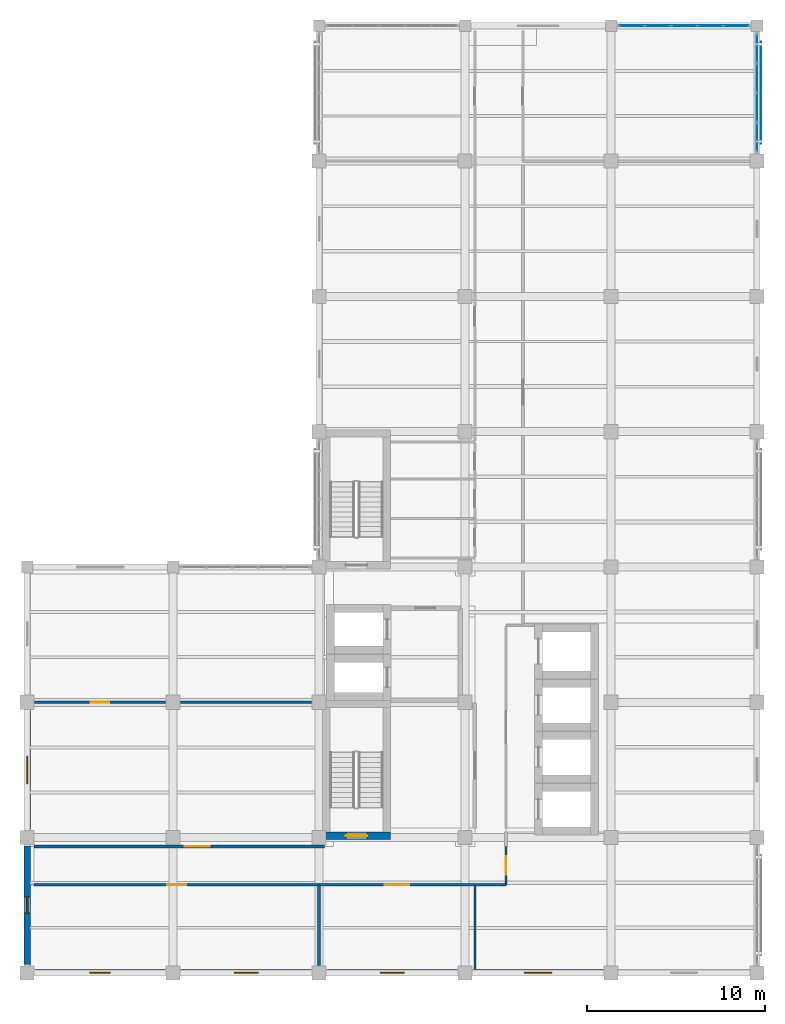
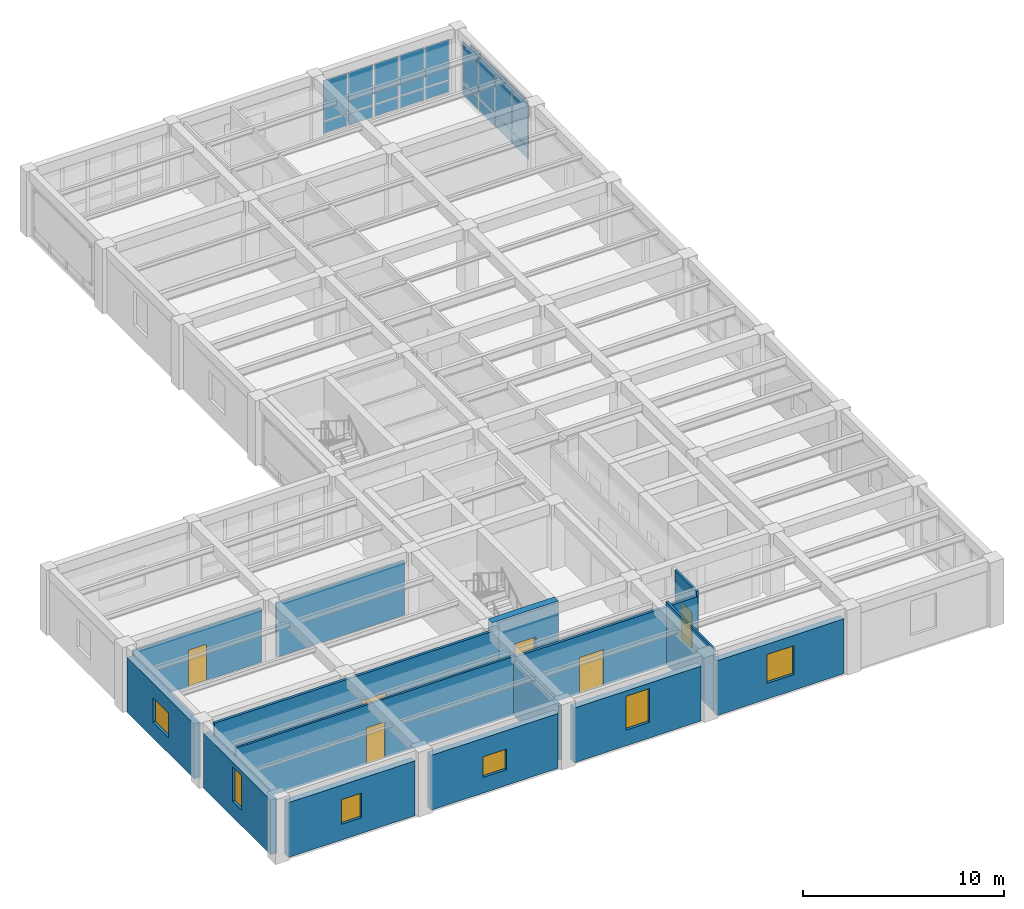
# One storey, part 7 of 14: 19 plates, 16 walls, 6 doors, 6 windows, 12 openings, 2 elements without a shape of their own.
"""IFC4 building model written with IfcOpenShell, lengths in metres."""

from ifc_helpers import new_model, si_unit, direction, frame, frame_2d, origin, origin_2d, place, context, subcontext, project, spatial, rectangle, extrude, material, layer, layer_set, type_object, element, fill, aggregate, save


model = new_model("IFC4")

# Units and contexts
model_context = context("Model", 3, precision=1e-05, world=origin(), true_north=direction((0.0, 1.0)))
body_context = subcontext(model_context, "Body", "Model", "MODEL_VIEW")
ifc_project = project(units=[si_unit("LENGTHUNIT", "METRE"), si_unit("AREAUNIT", "SQUARE_METRE"), si_unit("VOLUMEUNIT", "CUBIC_METRE"), si_unit("PLANEANGLEUNIT", "RADIAN"), si_unit("MASSUNIT", "GRAM", prefix="KILO")], contexts=[model_context])

# Site, building, storey
site_placement = place(None, origin())
site = spatial("IfcSite", under=ifc_project, at=site_placement, CompositionType="ELEMENT")
building_placement = place(site_placement, origin())
building = spatial("IfcBuilding", under=site, at=building_placement, Name="Qandaris Square Conservatory and Botanical Centre", CompositionType="ELEMENT")
storey_placement = place(building_placement, frame((0.0, 0.0, 40.800048828125)))
storey = spatial("IfcBuildingStorey", under=building, at=storey_placement, Name="L09", CompositionType="ELEMENT", Elevation=40.800048828125)

# Curtain wall, plates
ifc_material_1 = material(Name="Anodised Aluminium", Category="aluminium")
curtain_wall_type_1 = type_object("IfcCurtainWallType", Name="Unitised Curtain Wall CW-4-667x334", PredefinedType="USERDEFINED", material=ifc_material_1)
curtain_wall_1_placement = place(storey_placement, origin())
curtain_wall_1 = element("IfcCurtainWall", 1, at=curtain_wall_1_placement, inside=storey, type_object=curtain_wall_type_1, Name="Curtain Wall CW-TWR-L09-2-7", ObjectType="GLAZED CURTAIN WALL", PredefinedType="USERDEFINED")
ifc_material_2 = material(Name="Tempered Low-E Glass", Category="glass")
ifc_layer_1 = layer(ifc_material_2, 0.035888671875)
ifc_layer_set_1 = layer_set([ifc_layer_1], Name="Tempered Low-E Glass")
plate_type_1 = type_object("IfcPlateType", Name="Double-Glazed Solar Control Vision Unit 36mm", PredefinedType="CURTAIN_PANEL", material=ifc_layer_set_1)
plate_1_placement = place(storey_placement, frame((163.800048828125, 63.550537109375, 0.06494140625), z_axis=(0.0, 0.0, 1.0), x_axis=(0.0, 1.0, 0.0)))
plate_1 = element("IfcPlate", 2, at=plate_1_placement, type_object=plate_type_1, Name="CW-4-667x334 panel 1.1", PredefinedType="CURTAIN_PANEL", context=body_context, shape_type="SweptSolid", body=[
    extrude(rectangle(XDim=1.5712890625, YDim=0.035888671875, at=origin_2d()), origin(), (0.0, 0.0, 1.0), 0.7041015625),
])
plate_2_placement = place(storey_placement, frame((163.800048828125, 63.550537109375, 0.833984375), z_axis=(0.0, 0.0, 1.0), x_axis=(0.0, 1.0, 0.0)))
plate_2 = element("IfcPlate", 3, at=plate_2_placement, type_object=plate_type_1, Name="CW-4-667x334 panel 1.2", PredefinedType="CURTAIN_PANEL", context=body_context, shape_type="SweptSolid", body=[
    extrude(rectangle(XDim=1.5712890625, YDim=0.035888671875, at=origin_2d()), origin(), (0.0, 0.0, 1.0), 2.44091796875),
])
plate_3_placement = place(storey_placement, frame((163.800048828125, 65.203125, 0.06494140625), z_axis=(0.0, 0.0, 1.0), x_axis=(0.0, 1.0, 0.0)))
plate_3 = element("IfcPlate", 4, at=plate_3_placement, type_object=plate_type_1, Name="CW-4-667x334 panel 2.1", PredefinedType="CURTAIN_PANEL", context=body_context, shape_type="SweptSolid", body=[
    extrude(rectangle(XDim=1.603759765625, YDim=0.035888671875, at=origin_2d()), origin(), (0.0, 0.0, 1.0), 0.7041015625),
])
plate_4_placement = place(storey_placement, frame((163.800048828125, 65.203125, 0.833984375), z_axis=(0.0, 0.0, 1.0), x_axis=(0.0, 1.0, 0.0)))
plate_4 = element("IfcPlate", 5, at=plate_4_placement, type_object=plate_type_1, Name="CW-4-667x334 panel 2.2", PredefinedType="CURTAIN_PANEL", context=body_context, shape_type="SweptSolid", body=[
    extrude(rectangle(XDim=1.603759765625, YDim=0.035888671875, at=origin_2d()), origin(), (0.0, 0.0, 1.0), 2.44091796875),
])
plate_5_placement = place(storey_placement, frame((163.800048828125, 66.871826171875, 0.06494140625), z_axis=(0.0, 0.0, 1.0), x_axis=(0.0, 1.0, 0.0)))
plate_5 = element("IfcPlate", 6, at=plate_5_placement, type_object=plate_type_1, Name="CW-4-667x334 panel 3.1", PredefinedType="CURTAIN_PANEL", context=body_context, shape_type="SweptSolid", body=[
    extrude(rectangle(XDim=1.603759765625, YDim=0.035888671875, at=origin_2d()), origin(), (0.0, 0.0, 1.0), 0.7041015625),
])
plate_6_placement = place(storey_placement, frame((163.800048828125, 66.871826171875, 0.833984375), z_axis=(0.0, 0.0, 1.0), x_axis=(0.0, 1.0, 0.0)))
plate_6 = element("IfcPlate", 7, at=plate_6_placement, type_object=plate_type_1, Name="CW-4-667x334 panel 3.2", PredefinedType="CURTAIN_PANEL", context=body_context, shape_type="SweptSolid", body=[
    extrude(rectangle(XDim=1.603759765625, YDim=0.035888671875, at=origin_2d()), origin(), (0.0, 0.0, 1.0), 2.44091796875),
])
plate_7_placement = place(storey_placement, frame((163.800048828125, 68.5244140625, 0.06494140625), z_axis=(0.0, 0.0, 1.0), x_axis=(0.0, 1.0, 0.0)))
plate_7 = element("IfcPlate", 8, at=plate_7_placement, type_object=plate_type_1, Name="CW-4-667x334 panel 4.1", PredefinedType="CURTAIN_PANEL", context=body_context, shape_type="SweptSolid", body=[
    extrude(rectangle(XDim=1.5712890625, YDim=0.035888671875, at=origin_2d()), origin(), (0.0, 0.0, 1.0), 0.7041015625),
])
plate_8_placement = place(storey_placement, frame((163.800048828125, 68.5244140625, 0.833984375), z_axis=(0.0, 0.0, 1.0), x_axis=(0.0, 1.0, 0.0)))
plate_8 = element("IfcPlate", 9, at=plate_8_placement, type_object=plate_type_1, Name="CW-4-667x334 panel 4.2", PredefinedType="CURTAIN_PANEL", context=body_context, shape_type="SweptSolid", body=[
    extrude(rectangle(XDim=1.5712890625, YDim=0.035888671875, at=origin_2d()), origin(), (0.0, 0.0, 1.0), 2.44091796875),
])
aggregate(curtain_wall_1, [plate_1, plate_2, plate_3, plate_4, plate_5, plate_6, plate_7, plate_8])

curtain_wall_type_2 = type_object("IfcCurtainWallType", Name="Unitised Curtain Wall CW-3-735x334", PredefinedType="USERDEFINED", material=ifc_material_1)
curtain_wall_2_placement = place(storey_placement, origin())
curtain_wall_2 = element("IfcCurtainWall", 10, at=curtain_wall_2_placement, inside=storey, type_object=curtain_wall_type_2, Name="Curtain Wall CW-TWR-L09-3-1", ObjectType="GLAZED CURTAIN WALL", PredefinedType="USERDEFINED")
plate_9_placement = place(storey_placement, frame((162.623779296875, 69.800048828125, 0.06494140625), z_axis=(0.0, 0.0, 1.0), x_axis=(-1.0, 0.0, 0.0)))
plate_9 = element("IfcPlate", 11, at=plate_9_placement, type_object=plate_type_1, Name="CW-3-735x334 panel 1.1", PredefinedType="CURTAIN_PANEL", context=body_context, shape_type="SweptSolid", body=[
    extrude(rectangle(XDim=1.37255859375, YDim=0.035888671875, at=origin_2d()), origin(), (0.0, 0.0, 1.0), 0.7041015625),
])
plate_10_placement = place(storey_placement, frame((162.623779296875, 69.800048828125, 0.833984375), z_axis=(0.0, 0.0, 1.0), x_axis=(-1.0, 0.0, 0.0)))
plate_10 = element("IfcPlate", 12, at=plate_10_placement, type_object=plate_type_1, Name="CW-3-735x334 panel 1.2", PredefinedType="CURTAIN_PANEL", context=body_context, shape_type="SweptSolid", body=[
    extrude(rectangle(XDim=1.37255859375, YDim=0.035888671875, at=origin_2d()), origin(), (0.0, 0.0, 1.0), 2.44091796875),
])
plate_11_placement = place(storey_placement, frame((161.169921875, 69.800048828125, 0.06494140625), z_axis=(0.0, 0.0, 1.0), x_axis=(-1.0, 0.0, 0.0)))
plate_11 = element("IfcPlate", 13, at=plate_11_placement, type_object=plate_type_1, Name="CW-3-735x334 panel 2.1", PredefinedType="CURTAIN_PANEL", context=body_context, shape_type="SweptSolid", body=[
    extrude(rectangle(XDim=1.405029296875, YDim=0.035888671875, at=origin_2d()), origin(), (0.0, 0.0, 1.0), 0.7041015625),
])
plate_12_placement = place(storey_placement, frame((161.169921875, 69.800048828125, 0.833984375), z_axis=(0.0, 0.0, 1.0), x_axis=(-1.0, 0.0, 0.0)))
plate_12 = element("IfcPlate", 14, at=plate_12_placement, type_object=plate_type_1, Name="CW-3-735x334 panel 2.2", PredefinedType="CURTAIN_PANEL", context=body_context, shape_type="SweptSolid", body=[
    extrude(rectangle(XDim=1.405029296875, YDim=0.035888671875, at=origin_2d()), origin(), (0.0, 0.0, 1.0), 2.44091796875),
])
plate_13_placement = place(storey_placement, frame((159.699951171875, 69.800048828125, 0.06494140625), z_axis=(0.0, 0.0, 1.0), x_axis=(-1.0, 0.0, 0.0)))
plate_13 = element("IfcPlate", 15, at=plate_13_placement, type_object=plate_type_1, Name="CW-3-735x334 panel 3.1", PredefinedType="CURTAIN_PANEL", context=body_context, shape_type="SweptSolid", body=[
    extrude(rectangle(XDim=1.405029296875, YDim=0.035888671875, at=origin_2d()), origin(), (0.0, 0.0, 1.0), 0.7041015625),
])
plate_14_placement = place(storey_placement, frame((159.699951171875, 69.800048828125, 0.833984375), z_axis=(0.0, 0.0, 1.0), x_axis=(-1.0, 0.0, 0.0)))
plate_14 = element("IfcPlate", 16, at=plate_14_placement, type_object=plate_type_1, Name="CW-3-735x334 panel 3.2", PredefinedType="CURTAIN_PANEL", context=body_context, shape_type="SweptSolid", body=[
    extrude(rectangle(XDim=1.405029296875, YDim=0.035888671875, at=origin_2d()), origin(), (0.0, 0.0, 1.0), 2.44091796875),
])
plate_15_placement = place(storey_placement, frame((158.22998046875, 69.800048828125, 0.06494140625), z_axis=(0.0, 0.0, 1.0), x_axis=(-1.0, 0.0, 0.0)))
plate_15 = element("IfcPlate", 17, at=plate_15_placement, type_object=plate_type_1, Name="CW-3-735x334 panel 4.1", PredefinedType="CURTAIN_PANEL", context=body_context, shape_type="SweptSolid", body=[
    extrude(rectangle(XDim=1.405029296875, YDim=0.035888671875, at=origin_2d()), origin(), (0.0, 0.0, 1.0), 0.7041015625),
])
plate_16_placement = place(storey_placement, frame((158.22998046875, 69.800048828125, 0.833984375), z_axis=(0.0, 0.0, 1.0), x_axis=(-1.0, 0.0, 0.0)))
plate_16 = element("IfcPlate", 18, at=plate_16_placement, type_object=plate_type_1, Name="CW-3-735x334 panel 4.2", PredefinedType="CURTAIN_PANEL", context=body_context, shape_type="SweptSolid", body=[
    extrude(rectangle(XDim=1.405029296875, YDim=0.035888671875, at=origin_2d()), origin(), (0.0, 0.0, 1.0), 2.44091796875),
])
plate_17_placement = place(storey_placement, frame((156.7763671875, 69.800048828125, 0.06494140625), z_axis=(0.0, 0.0, 1.0), x_axis=(-1.0, 0.0, 0.0)))
plate_17 = element("IfcPlate", 19, at=plate_17_placement, type_object=plate_type_1, Name="CW-3-735x334 panel 5.1", PredefinedType="CURTAIN_PANEL", context=body_context, shape_type="SweptSolid", body=[
    extrude(rectangle(XDim=1.37255859375, YDim=0.035888671875, at=origin_2d()), origin(), (0.0, 0.0, 1.0), 0.7041015625),
])
plate_18_placement = place(storey_placement, frame((156.7763671875, 69.800048828125, 0.833984375), z_axis=(0.0, 0.0, 1.0), x_axis=(-1.0, 0.0, 0.0)))
plate_18 = element("IfcPlate", 20, at=plate_18_placement, type_object=plate_type_1, Name="CW-3-735x334 panel 5.2", PredefinedType="CURTAIN_PANEL", context=body_context, shape_type="SweptSolid", body=[
    extrude(rectangle(XDim=1.37255859375, YDim=0.035888671875, at=origin_2d()), origin(), (0.0, 0.0, 1.0), 2.44091796875),
])
aggregate(curtain_wall_2, [plate_9, plate_10, plate_11, plate_12, plate_13, plate_14, plate_15, plate_16, plate_17, plate_18])

# Plate
ifc_material_3 = material(Name="Weathering Bronze Alloy", Category="metal")
ifc_layer_2 = layer(ifc_material_3, 0.044921875)
ifc_layer_set_2 = layer_set([ifc_layer_2], Name="Weathering Bronze Alloy")
plate_type_2 = type_object("IfcPlateType", Name="Perforated Bronze Mashrabiya Solar Screen Panel", PredefinedType="USERDEFINED", material=ifc_layer_set_2)
plate_19_placement = place(storey_placement, frame((164.02001953125, 66.03759765625, 0.83154296875), z_axis=(0.0, 0.0, 1.0), x_axis=(0.0, 1.0, 0.0)))
element("IfcPlate", 21, at=plate_19_placement, inside=storey, type_object=plate_type_2, Name="Mashrabiya Solar Screen CW-TWR-L09-2-7", ObjectType="SOLAR SCREEN", PredefinedType="USERDEFINED", context=body_context, shape_type="SweptSolid", body=[
    extrude(rectangle(XDim=5.715087890625, YDim=0.044921875, at=origin_2d()), origin(), (0.0, 0.0, 1.0), 2.41845703125),
])

# Wall, opening, door
ifc_material_4 = material(Name="Gypsum Plasterboard", Category="gypsum")
ifc_layer_3 = layer(ifc_material_4, 0.14990234375)
ifc_layer_set_3 = layer_set([ifc_layer_3], Name="Gypsum Plasterboard")
wall_type_1 = type_object("IfcWallType", Name="Acoustic Laboratory Partition 150mm", PredefinedType="PARTITIONING", material=ifc_layer_set_3)
wall_1_placement = place(storey_placement, frame((147.949951171875, 21.550048828125, 0.0), z_axis=(0.0, 0.0, 1.0), x_axis=(-1.0, 0.0, 0.0)))
wall_1 = element("IfcWall", 22, at=wall_1_placement, inside=storey, type_object=wall_type_1, Name="Interior Partition IW-L09-0326", PredefinedType="PARTITIONING", context=body_context, shape_type="SweptSolid", body=[
    extrude(rectangle(XDim=8.75, YDim=0.14990234375, at=frame_2d((4.375, 0.0))), origin(), (0.0, 0.0, 1.0), 3.514892578125),
])
opening_1_placement = place(wall_1_placement, frame((3.675048828125, 0.0, 0.0)))
opening_1 = element("IfcOpeningElement", 23, at=opening_1_placement, cuts=wall_1, Name="Opening D-LAB1", PredefinedType="OPENING", context=body_context, shape_type="SweptSolid", body=[
    extrude(rectangle(XDim=1.39990234375, YDim=2.199951171875, at=frame_2d((0.699951171875, 1.10009765625))), frame((0.0, 0.0869140625, 0.0), z_axis=(0.0, -1.0, 0.0), x_axis=(1.0, 0.0, 0.0)), (0.0, 0.0, 1.0), 0.173828125),
])
ifc_material_5 = material(Name="Engineered Oak Timber", Category="wood")
door_type_1 = type_object("IfcDoorType", Name="Research Laboratory Leaf-and-Half Door 1400x2200", OperationType="DOUBLE_DOOR_SINGLE_SWING", PredefinedType="DOOR", material=ifc_material_5)
door_1_placement = place(opening_1_placement, frame((1.39990234375, 0.0, 0.0), z_axis=(0.0, 0.0, 1.0), x_axis=(-1.0, 0.0, 0.0)))
door_1 = element("IfcDoor", 24, at=door_1_placement, inside=storey, type_object=door_type_1, Name="DR-0294 Thermal Adaptation Suite Door", OperationType="DOUBLE_DOOR_SINGLE_SWING", OverallHeight=2.199951171875, OverallWidth=1.39990234375, PredefinedType="DOOR", context=body_context, shape_type="SweptSolid", body=[
    extrude(rectangle(XDim=1.39990234375, YDim=2.199951171875, at=frame_2d((0.699951171875, 1.10009765625))), frame((0.0, 0.02490234375, 0.0), z_axis=(0.0, -1.0, 0.0), x_axis=(1.0, 0.0, 0.0)), (0.0, 0.0, 1.0), 0.050048828125),
])
fill(opening_1, door_1)

# Wall
wall_2_placement = place(storey_placement, frame((149.699951171875, 21.550048828125, 0.0), z_axis=(0.0, 0.0, 1.0), x_axis=(-1.0, 0.0, 0.0)))
element("IfcWall", 25, at=wall_2_placement, inside=storey, type_object=wall_type_1, Name="Interior Partition IW-L09-0329", PredefinedType="PARTITIONING", context=body_context, shape_type="SweptSolid", body=[
    extrude(rectangle(XDim=1.75, YDim=0.14990234375, at=frame_2d((0.875, 0.0))), origin(), (0.0, 0.0, 1.0), 3.514892578125),
])

# Wall, opening, door
wall_3_placement = place(storey_placement, frame((123.199951171875, 23.699951171875, 0.0), z_axis=(0.0, 0.0, 1.0), x_axis=(1.0, 0.0, 0.0)))
wall_3 = element("IfcWall", 26, at=wall_3_placement, inside=storey, type_object=wall_type_1, Name="Interior Partition IW-L09-0334", PredefinedType="PARTITIONING", context=body_context, shape_type="SweptSolid", body=[
    extrude(rectangle(XDim=16.300048828125, YDim=0.14990234375, at=frame_2d((8.14990234375, 0.0))), origin(), (0.0, 0.0, 1.0), 3.804931640625),
])
opening_2_placement = place(wall_3_placement, frame((8.452880859375, 0.0, 0.0)))
opening_2 = element("IfcOpeningElement", 27, at=opening_2_placement, cuts=wall_3, Name="Opening D-LAB1", PredefinedType="OPENING", context=body_context, shape_type="SweptSolid", body=[
    extrude(rectangle(XDim=1.39990234375, YDim=2.199951171875, at=frame_2d((0.699951171875, 1.10009765625))), frame((0.0, 0.0869140625, 0.0), z_axis=(0.0, -1.0, 0.0), x_axis=(1.0, 0.0, 0.0)), (0.0, 0.0, 1.0), 0.173828125),
])
door_2_placement = place(opening_2_placement, frame((1.39990234375, 0.0, 0.0), z_axis=(0.0, 0.0, 1.0), x_axis=(-1.0, 0.0, 0.0)))
door_2 = element("IfcDoor", 28, at=door_2_placement, inside=storey, type_object=door_type_1, Name="DR-0296 Phenomics Imaging Research Laboratory South Door", OperationType="DOUBLE_DOOR_SINGLE_SWING", OverallHeight=2.199951171875, OverallWidth=1.39990234375, PredefinedType="DOOR", context=body_context, shape_type="SweptSolid", body=[
    extrude(rectangle(XDim=1.39990234375, YDim=2.199951171875, at=frame_2d((0.699951171875, 1.10009765625))), frame((0.0, 0.02490234375, 0.0), z_axis=(0.0, -1.0, 0.0), x_axis=(1.0, 0.0, 0.0)), (0.0, 0.0, 1.0), 0.050048828125),
])
fill(opening_2, door_2)

# Walls
wall_4_placement = place(storey_placement, frame((139.199951171875, 21.550048828125, 0.0), z_axis=(0.0, 0.0, 1.0), x_axis=(0.0, -1.0, 0.0)))
element("IfcWall", 29, at=wall_4_placement, inside=storey, type_object=wall_type_1, Name="Interior Partition IW-L09-0335", PredefinedType="PARTITIONING", context=body_context, shape_type="SweptSolid", body=[
    extrude(rectangle(XDim=4.530029296875, YDim=0.14990234375, at=frame_2d((2.26513671875, 0.0))), origin(), (0.0, 0.0, 1.0), 3.27490234375),
])
wall_5_placement = place(storey_placement, frame((131.419921875, 31.800048828125, 0.0), z_axis=(0.0, 0.0, 1.0), x_axis=(1.0, 0.0, 0.0)))
element("IfcWall", 30, at=wall_5_placement, inside=storey, type_object=wall_type_1, Name="Interior Partition IW-L09-0341", PredefinedType="PARTITIONING", context=body_context, shape_type="SweptSolid", body=[
    extrude(rectangle(XDim=7.360107421875, YDim=0.14990234375, at=frame_2d((3.68017578125, 0.0))), origin(), (0.0, 0.0, 1.0), 3.27490234375),
])

# Wall, opening, window
ifc_material_6 = material(Name="Precast concrete C40/50", Category="concrete")
ifc_layer_4 = layer(ifc_material_6, 0.360107421875)
ifc_layer_set_4 = layer_set([ifc_layer_4], Name="Precast concrete C40/50")
wall_type_2 = type_object("IfcWallType", Name="Architectural Precast Cladding Wall 360mm", PredefinedType="SOLIDWALL", material=ifc_layer_set_4)
wall_6_placement = place(storey_placement, frame((123.260009765625, 16.60009765625, 0.0), z_axis=(0.0, 0.0, 1.0), x_axis=(1.0, 0.0, 0.0)))
wall_6 = element("IfcWall", 31, at=wall_6_placement, inside=storey, type_object=wall_type_2, Name="Exterior Wall EW-TWR-L09-1-1", PredefinedType="SOLIDWALL", context=body_context, shape_type="SweptSolid", body=[
    extrude(rectangle(XDim=7.280029296875, YDim=0.360107421875, at=frame_2d((3.64013671875, 0.0))), origin(), (0.0, 0.0, 1.0), 3.324951171875),
])
opening_3_placement = place(wall_6_placement, frame((3.06494140625, 0.0, 0.949951171875)))
opening_3 = element("IfcOpeningElement", 32, at=opening_3_placement, cuts=wall_6, Name="Opening WN-18", PredefinedType="OPENING", context=body_context, shape_type="SweptSolid", body=[
    extrude(rectangle(XDim=1.14990234375, YDim=1.5, at=frame_2d((0.574951171875, 0.75))), frame((0.0, 0.19189453125, 0.0), z_axis=(0.0, -1.0, 0.0), x_axis=(1.0, 0.0, 0.0)), (0.0, 0.0, 1.0), 0.384033203125),
])
window_type_1 = type_object("IfcWindowType", Name="Solar Control Window 1150x1500", PartitioningType="SINGLE_PANEL", PredefinedType="WINDOW", material=ifc_material_2)
window_1_placement = place(opening_3_placement, origin())
window_1 = element("IfcWindow", 33, at=window_1_placement, inside=storey, type_object=window_type_1, Name="Window EW-TWR-L09-1-1", OverallHeight=1.5, OverallWidth=1.14990234375, PartitioningType="SINGLE_PANEL", PredefinedType="WINDOW", context=body_context, shape_type="SweptSolid", body=[
    extrude(rectangle(XDim=1.14990234375, YDim=1.5, at=frame_2d((0.574951171875, 0.75))), frame((0.0, 0.030029296875, 0.0), z_axis=(0.0, -1.0, 0.0), x_axis=(1.0, 0.0, 0.0)), (0.0, 0.0, 1.0), 0.06005859375),
])
fill(opening_3, window_1)

wall_7_placement = place(storey_placement, frame((131.4599609375, 16.60009765625, 0.0), z_axis=(0.0, 0.0, 1.0), x_axis=(1.0, 0.0, 0.0)))
wall_7 = element("IfcWall", 34, at=wall_7_placement, inside=storey, type_object=wall_type_2, Name="Exterior Wall EW-TWR-L09-1-2", PredefinedType="SOLIDWALL", context=body_context, shape_type="SweptSolid", body=[
    extrude(rectangle(XDim=7.280029296875, YDim=0.360107421875, at=frame_2d((3.64013671875, 0.0))), origin(), (0.0, 0.0, 1.0), 3.324951171875),
])
opening_4_placement = place(wall_7_placement, frame((2.965087890625, 0.0, 0.949951171875)))
opening_4 = element("IfcOpeningElement", 35, at=opening_4_placement, cuts=wall_7, Name="Opening WN-21", PredefinedType="OPENING", context=body_context, shape_type="SweptSolid", body=[
    extrude(rectangle(XDim=1.35009765625, YDim=1.25, at=frame_2d((0.675048828125, 0.625))), frame((0.0, 0.19189453125, 0.0), z_axis=(0.0, -1.0, 0.0), x_axis=(1.0, 0.0, 0.0)), (0.0, 0.0, 1.0), 0.384033203125),
])
window_type_2 = type_object("IfcWindowType", Name="Solar Control Window 1350x1250", PartitioningType="SINGLE_PANEL", PredefinedType="WINDOW", material=ifc_material_2)
window_2_placement = place(opening_4_placement, origin())
window_2 = element("IfcWindow", 36, at=window_2_placement, inside=storey, type_object=window_type_2, Name="Window EW-TWR-L09-1-2", OverallHeight=1.25, OverallWidth=1.35009765625, PartitioningType="SINGLE_PANEL", PredefinedType="WINDOW", context=body_context, shape_type="SweptSolid", body=[
    extrude(rectangle(XDim=1.35009765625, YDim=1.25, at=frame_2d((0.675048828125, 0.625))), frame((0.0, 0.030029296875, 0.0), z_axis=(0.0, -1.0, 0.0), x_axis=(1.0, 0.0, 0.0)), (0.0, 0.0, 1.0), 0.06005859375),
])
fill(opening_4, window_2)

wall_8_placement = place(storey_placement, frame((139.659912109375, 16.60009765625, 0.0), z_axis=(0.0, 0.0, 1.0), x_axis=(1.0, 0.0, 0.0)))
wall_8 = element("IfcWall", 37, at=wall_8_placement, inside=storey, type_object=wall_type_2, Name="Exterior Wall EW-TWR-L09-1-3", PredefinedType="SOLIDWALL", context=body_context, shape_type="SweptSolid", body=[
    extrude(rectangle(XDim=7.280029296875, YDim=0.360107421875, at=frame_2d((3.64013671875, 0.0))), origin(), (0.0, 0.0, 1.0), 3.324951171875),
])
opening_5_placement = place(wall_8_placement, frame((2.965087890625, 0.0, 0.949951171875)))
opening_5 = element("IfcOpeningElement", 38, at=opening_5_placement, cuts=wall_8, Name="Opening WN-24", PredefinedType="OPENING", context=body_context, shape_type="SweptSolid", body=[
    extrude(rectangle(XDim=1.35009765625, YDim=2.050048828125, at=frame_2d((0.675048828125, 1.02490234375))), frame((0.0, 0.19189453125, 0.0), z_axis=(0.0, -1.0, 0.0), x_axis=(1.0, 0.0, 0.0)), (0.0, 0.0, 1.0), 0.384033203125),
])
window_type_3 = type_object("IfcWindowType", Name="Solar Control Window 1350x2050", PartitioningType="SINGLE_PANEL", PredefinedType="WINDOW", material=ifc_material_2)
window_3_placement = place(opening_5_placement, origin())
window_3 = element("IfcWindow", 39, at=window_3_placement, inside=storey, type_object=window_type_3, Name="Window EW-TWR-L09-1-3", OverallHeight=2.050048828125, OverallWidth=1.35009765625, PartitioningType="SINGLE_PANEL", PredefinedType="WINDOW", context=body_context, shape_type="SweptSolid", body=[
    extrude(rectangle(XDim=1.35009765625, YDim=2.050048828125, at=frame_2d((0.675048828125, 1.02490234375))), frame((0.0, 0.030029296875, 0.0), z_axis=(0.0, -1.0, 0.0), x_axis=(1.0, 0.0, 0.0)), (0.0, 0.0, 1.0), 0.06005859375),
])
fill(opening_5, window_3)

wall_9_placement = place(storey_placement, frame((147.860107421875, 16.60009765625, 0.0), z_axis=(0.0, 0.0, 1.0), x_axis=(1.0, 0.0, 0.0)))
wall_9 = element("IfcWall", 40, at=wall_9_placement, inside=storey, type_object=wall_type_2, Name="Exterior Wall EW-TWR-L09-1-4", PredefinedType="SOLIDWALL", context=body_context, shape_type="SweptSolid", body=[
    extrude(rectangle(XDim=7.27978515625, YDim=0.360107421875, at=frame_2d((3.639892578125, 0.0))), origin(), (0.0, 0.0, 1.0), 3.324951171875),
])
opening_6_placement = place(wall_9_placement, frame((2.864990234375, 0.0, 0.949951171875)))
opening_6 = element("IfcOpeningElement", 41, at=opening_6_placement, cuts=wall_9, Name="Opening WN-27", PredefinedType="OPENING", context=body_context, shape_type="SweptSolid", body=[
    extrude(rectangle(XDim=1.550048828125, YDim=1.75, at=frame_2d((0.77490234375, 0.875))), frame((0.0, 0.19189453125, 0.0), z_axis=(0.0, -1.0, 0.0), x_axis=(1.0, 0.0, 0.0)), (0.0, 0.0, 1.0), 0.384033203125),
])
window_type_4 = type_object("IfcWindowType", Name="Solar Control Window 1550x1750", PartitioningType="DOUBLE_PANEL_VERTICAL", PredefinedType="WINDOW", material=ifc_material_2)
window_4_placement = place(opening_6_placement, origin())
window_4 = element("IfcWindow", 42, at=window_4_placement, inside=storey, type_object=window_type_4, Name="Window EW-TWR-L09-1-4", OverallHeight=1.75, OverallWidth=1.550048828125, PartitioningType="DOUBLE_PANEL_VERTICAL", PredefinedType="WINDOW", context=body_context, shape_type="SweptSolid", body=[
    extrude(rectangle(XDim=1.550048828125, YDim=1.75, at=frame_2d((0.77490234375, 0.875))), frame((0.0, 0.030029296875, 0.0), z_axis=(0.0, -1.0, 0.0), x_axis=(1.0, 0.0, 0.0)), (0.0, 0.0, 1.0), 0.06005859375),
])
fill(opening_6, window_4)

wall_10_placement = place(storey_placement, frame((122.800048828125, 31.340087890625, 0.0), z_axis=(0.0, 0.0, 1.0), x_axis=(0.0, -1.0, 0.0)))
wall_10 = element("IfcWall", 43, at=wall_10_placement, inside=storey, type_object=wall_type_2, Name="Exterior Wall EW-TWR-L09-6-2", PredefinedType="SOLIDWALL", context=body_context, shape_type="SweptSolid", body=[
    extrude(rectangle(XDim=6.68017578125, YDim=0.360107421875, at=frame_2d((3.340087890625, 0.0))), origin(), (0.0, 0.0, 1.0), 3.324951171875),
])
opening_7_placement = place(wall_10_placement, frame((2.56494140625, 0.0, 0.949951171875)))
opening_7 = element("IfcOpeningElement", 44, at=opening_7_placement, cuts=wall_10, Name="Opening WN-26", PredefinedType="OPENING", context=body_context, shape_type="SweptSolid", body=[
    extrude(rectangle(XDim=1.550048828125, YDim=1.5, at=frame_2d((0.77490234375, 0.75))), frame((0.0, 0.19189453125, 0.0), z_axis=(0.0, -1.0, 0.0), x_axis=(1.0, 0.0, 0.0)), (0.0, 0.0, 1.0), 0.384033203125),
])
window_type_5 = type_object("IfcWindowType", Name="Solar Control Window 1550x1500", PartitioningType="DOUBLE_PANEL_VERTICAL", PredefinedType="WINDOW", material=ifc_material_2)
window_5_placement = place(opening_7_placement, origin())
window_5 = element("IfcWindow", 45, at=window_5_placement, inside=storey, type_object=window_type_5, Name="Window EW-TWR-L09-6-2", OverallHeight=1.5, OverallWidth=1.550048828125, PartitioningType="DOUBLE_PANEL_VERTICAL", PredefinedType="WINDOW", context=body_context, shape_type="SweptSolid", body=[
    extrude(rectangle(XDim=1.550048828125, YDim=1.5, at=frame_2d((0.77490234375, 0.75))), frame((0.0, 0.030029296875, 0.0), z_axis=(0.0, -1.0, 0.0), x_axis=(1.0, 0.0, 0.0)), (0.0, 0.0, 1.0), 0.06005859375),
])
fill(opening_7, window_5)

wall_11_placement = place(storey_placement, frame((122.800048828125, 23.739990234375, 0.0), z_axis=(0.0, 0.0, 1.0), x_axis=(0.0, -1.0, 0.0)))
wall_11 = element("IfcWall", 46, at=wall_11_placement, inside=storey, type_object=wall_type_2, Name="Exterior Wall EW-TWR-L09-6-3", PredefinedType="SOLIDWALL", context=body_context, shape_type="SweptSolid", body=[
    extrude(rectangle(XDim=6.679931640625, YDim=0.360107421875, at=frame_2d((3.33984375, 0.0))), origin(), (0.0, 0.0, 1.0), 3.324951171875),
])
opening_8_placement = place(wall_11_placement, frame((2.889892578125, 0.0, 0.949951171875)))
opening_8 = element("IfcOpeningElement", 47, at=opening_8_placement, cuts=wall_11, Name="Opening WN-01", PredefinedType="OPENING", context=body_context, shape_type="SweptSolid", body=[
    extrude(rectangle(XDim=0.89990234375, YDim=2.10009765625, at=frame_2d((0.449951171875, 1.050048828125))), frame((0.0, 0.19189453125, 0.0), z_axis=(0.0, -1.0, 0.0), x_axis=(1.0, 0.0, 0.0)), (0.0, 0.0, 1.0), 0.384033203125),
])
window_type_6 = type_object("IfcWindowType", Name="Deep-Set Solar Slot Window 900x2100", PartitioningType="SINGLE_PANEL", PredefinedType="WINDOW", material=ifc_material_2)
window_6_placement = place(opening_8_placement, origin())
window_6 = element("IfcWindow", 48, at=window_6_placement, inside=storey, type_object=window_type_6, Name="Window EW-TWR-L09-6-3", OverallHeight=2.10009765625, OverallWidth=0.89990234375, PartitioningType="SINGLE_PANEL", PredefinedType="WINDOW", context=body_context, shape_type="SweptSolid", body=[
    extrude(rectangle(XDim=0.89990234375, YDim=2.10009765625, at=frame_2d((0.449951171875, 1.050048828125))), frame((0.0, 0.030029296875, 0.0), z_axis=(0.0, -1.0, 0.0), x_axis=(1.0, 0.0, 0.0)), (0.0, 0.0, 1.0), 0.06005859375),
])
fill(opening_8, window_6)

# Wall, opening, door
ifc_material_7 = material(Name="Concrete C50/60", Category="concrete")
ifc_layer_5 = layer(ifc_material_7, 0.39990234375)
ifc_layer_set_5 = layer_set([ifc_layer_5], Name="Concrete C50/60")
wall_type_3 = type_object("IfcWallType", Name="RC Stair Core Shear Wall 400mm", PredefinedType="SHEAR", material=ifc_layer_set_5)
wall_12_placement = place(storey_placement, frame((139.39990234375, 24.300048828125, 0.0), z_axis=(0.0, 0.0, 1.0), x_axis=(1.0, 0.0, 0.0)))
wall_12 = element("IfcWall", 49, at=wall_12_placement, inside=storey, type_object=wall_type_3, Name="ST-1 Core Shear Wall South (L09)", PredefinedType="SHEAR", context=body_context, shape_type="SweptSolid", body=[
    extrude(rectangle(XDim=3.800048828125, YDim=0.39990234375, at=frame_2d((1.89990234375, 0.0))), origin(), (0.0, 0.0, 1.0), 3.93994140625),
])
opening_9_placement = place(wall_12_placement, frame((1.300048828125, 0.0, 0.0)))
opening_9 = element("IfcOpeningElement", 50, at=opening_9_placement, cuts=wall_12, Name="Opening D-ST1", PredefinedType="OPENING", context=body_context, shape_type="SweptSolid", body=[
    extrude(rectangle(XDim=1.199951171875, YDim=2.199951171875, at=frame_2d((0.60009765625, 1.10009765625))), frame((0.0, 0.2119140625, 0.0), z_axis=(0.0, -1.0, 0.0), x_axis=(1.0, 0.0, 0.0)), (0.0, 0.0, 1.0), 0.423828125),
])
ifc_material_8 = material(Name="Steel S355", Category="steel")
door_type_2 = type_object("IfcDoorType", Name="Exit Stair Core Fire Door 1200x2200", OperationType="NOTDEFINED", PredefinedType="DOOR", material=ifc_material_8)
door_3_placement = place(opening_9_placement, origin())
door_3 = element("IfcDoor", 51, at=door_3_placement, inside=storey, type_object=door_type_2, Name="DR-0304 ST-1 Stair Core Door (L09)", OperationType="SINGLE_SWING_LEFT", OverallHeight=2.199951171875, OverallWidth=1.199951171875, PredefinedType="DOOR", context=body_context, shape_type="SweptSolid", body=[
    extrude(rectangle(XDim=1.199951171875, YDim=2.199951171875, at=frame_2d((0.60009765625, 1.10009765625))), frame((0.0, 0.02490234375, 0.0), z_axis=(0.0, -1.0, 0.0), x_axis=(1.0, 0.0, 0.0)), (0.0, 0.0, 1.0), 0.050048828125),
])
fill(opening_9, door_3)

ifc_layer_6 = layer(ifc_material_4, 0.1201171875)
ifc_layer_set_6 = layer_set([ifc_layer_6], Name="Gypsum Plasterboard")
wall_type_4 = type_object("IfcWallType", Name="Standard Research Partition 120mm", PredefinedType="PARTITIONING", material=ifc_layer_set_6)
wall_13_placement = place(storey_placement, frame((139.199951171875, 21.550048828125, 0.0), z_axis=(0.0, 0.0, 1.0), x_axis=(-1.0, 0.0, 0.0)))
wall_13 = element("IfcWall", 52, at=wall_13_placement, inside=storey, type_object=wall_type_4, Name="Interior Partition IW-L09-0325", PredefinedType="PARTITIONING", context=body_context, shape_type="SweptSolid", body=[
    extrude(rectangle(XDim=16.0, YDim=0.1201171875, at=frame_2d((8.0, 0.0))), origin(), (0.0, 0.0, 1.0), 3.5849609375),
])
opening_10_placement = place(wall_13_placement, frame((7.47509765625, 0.0, 0.0)))
opening_10 = element("IfcOpeningElement", 53, at=opening_10_placement, cuts=wall_13, Name="Opening D-LAB2", PredefinedType="OPENING", context=body_context, shape_type="SweptSolid", body=[
    extrude(rectangle(XDim=1.050048828125, YDim=2.199951171875, at=frame_2d((0.52490234375, 1.10009765625))), frame((0.0, 0.072021484375, 0.0), z_axis=(0.0, -1.0, 0.0), x_axis=(1.0, 0.0, 0.0)), (0.0, 0.0, 1.0), 0.14404296875),
])
door_type_3 = type_object("IfcDoorType", Name="Analytical Laboratory Single Door 1050x2200", OperationType="NOTDEFINED", PredefinedType="DOOR", material=ifc_material_5)
door_4_placement = place(opening_10_placement, origin())
door_4 = element("IfcDoor", 54, at=door_4_placement, inside=storey, type_object=door_type_3, Name="DR-0297 Mangrove Restoration Research Laboratory Door", OperationType="SINGLE_SWING_RIGHT", OverallHeight=2.199951171875, OverallWidth=1.050048828125, PredefinedType="DOOR", context=body_context, shape_type="SweptSolid", body=[
    extrude(rectangle(XDim=1.050048828125, YDim=2.199951171875, at=frame_2d((0.52490234375, 1.10009765625))), frame((0.0, 0.02490234375, 0.0), z_axis=(0.0, -1.0, 0.0), x_axis=(1.0, 0.0, 0.0)), (0.0, 0.0, 1.0), 0.050048828125),
])
fill(opening_10, door_4)

wall_14_placement = place(storey_placement, frame((149.699951171875, 23.699951171875, 0.0), z_axis=(0.0, 0.0, 1.0), x_axis=(0.0, -1.0, 0.0)))
wall_14 = element("IfcWall", 55, at=wall_14_placement, inside=storey, type_object=wall_type_4, Name="Interior Partition IW-L09-0328", PredefinedType="PARTITIONING", context=body_context, shape_type="SweptSolid", body=[
    extrude(rectangle(XDim=2.14990234375, YDim=0.1201171875, at=frame_2d((1.074951171875, 0.0))), origin(), (0.0, 0.0, 1.0), 3.804931640625),
])
opening_11_placement = place(wall_14_placement, frame((0.550048828125, 0.0, 0.0)))
opening_11 = element("IfcOpeningElement", 56, at=opening_11_placement, cuts=wall_14, Name="Opening D-LAB2", PredefinedType="OPENING", context=body_context, shape_type="SweptSolid", body=[
    extrude(rectangle(XDim=1.050048828125, YDim=2.199951171875, at=frame_2d((0.52490234375, 1.10009765625))), frame((0.0, 0.072021484375, 0.0), z_axis=(0.0, -1.0, 0.0), x_axis=(1.0, 0.0, 0.0)), (0.0, 0.0, 1.0), 0.14404296875),
])
door_5_placement = place(opening_11_placement, origin())
door_5 = element("IfcDoor", 57, at=door_5_placement, inside=storey, type_object=door_type_3, Name="DR-0298 Floor L09 Instrument and Balance Room Door", OperationType="SINGLE_SWING_LEFT", OverallHeight=2.199951171875, OverallWidth=1.050048828125, PredefinedType="DOOR", context=body_context, shape_type="SweptSolid", body=[
    extrude(rectangle(XDim=1.050048828125, YDim=2.199951171875, at=frame_2d((0.52490234375, 1.10009765625))), frame((0.0, 0.02490234375, 0.0), z_axis=(0.0, -1.0, 0.0), x_axis=(1.0, 0.0, 0.0)), (0.0, 0.0, 1.0), 0.050048828125),
])
fill(opening_11, door_5)

# Wall
wall_15_placement = place(storey_placement, frame((147.949951171875, 21.550048828125, 0.0), z_axis=(0.0, 0.0, 1.0), x_axis=(0.0, -1.0, 0.0)))
element("IfcWall", 58, at=wall_15_placement, inside=storey, type_object=wall_type_4, Name="Interior Partition IW-L09-0336", PredefinedType="PARTITIONING", context=body_context, shape_type="SweptSolid", body=[
    extrude(rectangle(XDim=4.739990234375, YDim=0.1201171875, at=frame_2d((2.3701171875, 0.0))), origin(), (0.0, 0.0, 1.0), 3.804931640625),
])

# Wall, opening, door
wall_16_placement = place(storey_placement, frame((123.219970703125, 31.800048828125, 0.0), z_axis=(0.0, 0.0, 1.0), x_axis=(1.0, 0.0, 0.0)))
wall_16 = element("IfcWall", 59, at=wall_16_placement, inside=storey, type_object=wall_type_4, Name="Interior Partition IW-L09-0340", PredefinedType="PARTITIONING", context=body_context, shape_type="SweptSolid", body=[
    extrude(rectangle(XDim=7.360107421875, YDim=0.1201171875, at=frame_2d((3.68017578125, 0.0))), origin(), (0.0, 0.0, 1.0), 3.27490234375),
])
opening_12_placement = place(wall_16_placement, frame((3.155029296875, 0.0, 0.0)))
opening_12 = element("IfcOpeningElement", 60, at=opening_12_placement, cuts=wall_16, Name="Opening D-LAB2", PredefinedType="OPENING", context=body_context, shape_type="SweptSolid", body=[
    extrude(rectangle(XDim=1.050048828125, YDim=2.199951171875, at=frame_2d((0.52490234375, 1.10009765625))), frame((0.0, 0.072021484375, 0.0), z_axis=(0.0, -1.0, 0.0), x_axis=(1.0, 0.0, 0.0)), (0.0, 0.0, 1.0), 0.14404296875),
])
door_6_placement = place(opening_12_placement, origin())
door_6 = element("IfcDoor", 61, at=door_6_placement, inside=storey, type_object=door_type_3, Name="DR-0300 Phenomics Imaging Research Laboratory South Door", OperationType="SINGLE_SWING_LEFT", OverallHeight=2.199951171875, OverallWidth=1.050048828125, PredefinedType="DOOR", context=body_context, shape_type="SweptSolid", body=[
    extrude(rectangle(XDim=1.050048828125, YDim=2.199951171875, at=frame_2d((0.52490234375, 1.10009765625))), frame((0.0, 0.02490234375, 0.0), z_axis=(0.0, -1.0, 0.0), x_axis=(1.0, 0.0, 0.0)), (0.0, 0.0, 1.0), 0.050048828125),
])
fill(opening_12, door_6)

save(model, "model.ifc")
